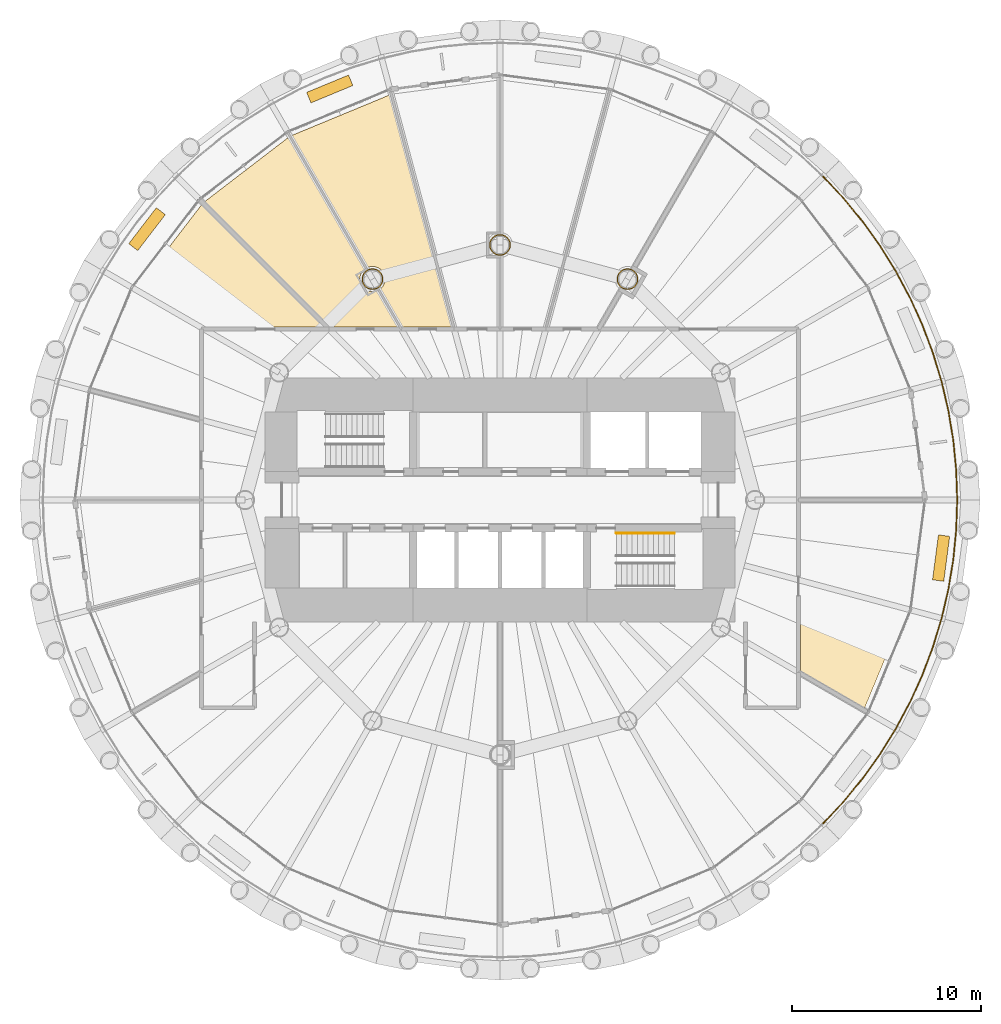
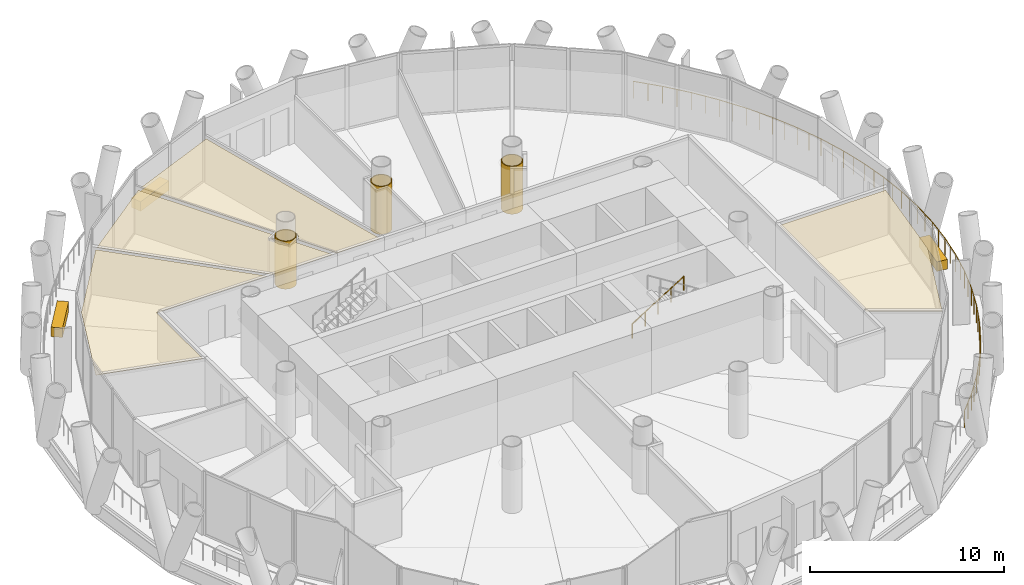
# One storey, part 14 of 15: 10 coverings, 2 railings.
"""IFC4 building model written with IfcOpenShell, lengths in metres."""

from ifc_helpers import new_model, si_unit, direction, frame, origin, origin_2d, place, context, subcontext, project, spatial, polyline, rectangle, circle, outline, extrude, material, layer, layer_set, type_object, element, save


model = new_model("IFC4")

# Units and contexts
model_context = context("Model", 3, precision=1e-05, world=origin(), true_north=direction((0.0, 1.0)))
body_context = subcontext(model_context, "Body", "Model", "MODEL_VIEW")
ifc_project = project(units=[si_unit("LENGTHUNIT", "METRE"), si_unit("AREAUNIT", "SQUARE_METRE"), si_unit("VOLUMEUNIT", "CUBIC_METRE"), si_unit("PLANEANGLEUNIT", "RADIAN"), si_unit("MASSUNIT", "GRAM", prefix="KILO")], contexts=[model_context])

# Site, building, storey
site_placement = place(None, origin())
site = spatial("IfcSite", under=ifc_project, at=site_placement, CompositionType="ELEMENT")
building_placement = place(site_placement, origin())
building = spatial("IfcBuilding", under=site, at=building_placement, Name="Qaws Media Tower", CompositionType="ELEMENT")
storey_placement = place(building_placement, frame((0.0, 0.0, 143.60009765625)))
storey = spatial("IfcBuildingStorey", under=building, at=storey_placement, Name="L32", CompositionType="ELEMENT", Elevation=143.60009765625)

# Railing
ifc_material_1 = material(Name="Stainless steel and glass guard", Category="steel")
railing_type_1 = type_object("IfcRailingType", Name="Balcony guard 1100", PredefinedType="GUARDRAIL", material=ifc_material_1)
railing_1_placement = place(storey_placement, frame((77.112060546875, 32.887939453125, 0.0)))
element("IfcRailing", 1, at=railing_1_placement, inside=storey, type_object=railing_type_1, Name="GR1 balcony guard L32-4", PredefinedType="GUARDRAIL", context=body_context, shape_type="SweptSolid", body=[
    extrude(circle(Radius=0.02392578125, at=origin_2d()), frame((0.0, 0.0, 1.076171875), z_axis=(0.683525663397, 0.729926480872, 0.0), x_axis=(-0.729926480872, 0.683525663397, 0.0)), (0.0, 0.0, 1.0), 1.583740234375),
    extrude(circle(Radius=0.02392578125, at=origin_2d()), frame((1.08251953125, 1.156005859375, 1.076171875), z_axis=(0.634404020343, 0.773001642284, 0.0), x_axis=(-0.773001642284, 0.634404020343, 0.0)), (0.0, 0.0, 1.0), 1.58349609375),
    extrude(circle(Radius=0.02392578125, at=origin_2d()), frame((2.087158203125, 2.380126953125, 1.076171875), z_axis=(0.582491777819, 0.81283659414, 0.0), x_axis=(-0.81283659414, 0.582491777819, 0.0)), (0.0, 0.0, 1.0), 1.58349609375),
    extrude(circle(Radius=0.02392578125, at=origin_2d()), frame((3.009521484375, 3.667236328125, 1.076171875), z_axis=(0.528057343706, 0.849208715075, 0.0), x_axis=(-0.849208715075, 0.528057343706, 0.0)), (0.0, 0.0, 1.0), 1.58349609375),
    extrude(circle(Radius=0.02392578125, at=origin_2d()), frame((3.845703125, 5.011962890625, 1.076171875), z_axis=(0.471404145515, 0.881917304281, 0.0), x_axis=(-0.881917304281, 0.471404145515, 0.0)), (0.0, 0.0, 1.0), 1.583740234375),
    extrude(circle(Radius=0.02392578125, at=origin_2d()), frame((4.59228515625, 6.40869140625, 1.076171875), z_axis=(0.412722382682, 0.910856868467, 0.0), x_axis=(-0.910856868467, 0.412722382682, 0.0)), (0.0, 0.0, 1.0), 1.58349609375),
    extrude(circle(Radius=0.02392578125, at=origin_2d()), frame((5.245849609375, 7.85107421875, 1.076171875), z_axis=(0.35225509793, 0.935904026053, 0.0), x_axis=(-0.935904026053, 0.35225509793, 0.0)), (0.0, 0.0, 1.0), 1.583740234375),
    extrude(circle(Radius=0.02392578125, at=origin_2d()), frame((5.8037109375, 9.333251953125, 1.076171875), z_axis=(0.290302625985, 0.95693489086, 0.0), x_axis=(-0.95693489086, 0.290302625985, 0.0)), (0.0, 0.0, 1.0), 1.58349609375),
    extrude(circle(Radius=0.02392578125, at=origin_2d()), frame((6.263427734375, 10.8486328125, 1.076171875), z_axis=(0.227088279746, 0.973874177295, 0.0), x_axis=(-0.973874177295, 0.227088279746, 0.0)), (0.0, 0.0, 1.0), 1.58349609375),
    extrude(circle(Radius=0.02392578125, at=origin_2d()), frame((6.623046875, 12.390869140625, 1.076171875), z_axis=(0.162798782993, 0.986659290868, 0.0), x_axis=(-0.986659290868, 0.162798782993, 0.0)), (0.0, 0.0, 1.0), 1.583740234375),
    extrude(circle(Radius=0.02392578125, at=origin_2d()), frame((6.880859375, 13.953369140625, 1.076171875), z_axis=(0.098053479386, 0.995181146918, 0.0), x_axis=(-0.995181146918, 0.098053479386, 0.0)), (0.0, 0.0, 1.0), 1.58349609375),
    extrude(circle(Radius=0.02392578125, at=origin_2d()), frame((7.0361328125, 15.529296875, 1.076171875), z_axis=(0.032683439731, 0.999465753674, 0.0), x_axis=(-0.999465753674, 0.032683439731, 0.0)), (0.0, 0.0, 1.0), 1.58349609375),
    extrude(circle(Radius=0.02392578125, at=origin_2d()), frame((7.087890625, 17.112060546875, 1.076171875), z_axis=(-0.032683439731, 0.999465753674, 0.0), x_axis=(-0.999465753674, -0.032683439731, 0.0)), (0.0, 0.0, 1.0), 1.58349609375),
    extrude(circle(Radius=0.02392578125, at=origin_2d()), frame((7.0361328125, 18.69482421875, 1.076171875), z_axis=(-0.098053479386, 0.995181146918, 0.0), x_axis=(-0.995181146918, -0.098053479386, 0.0)), (0.0, 0.0, 1.0), 1.58349609375),
    extrude(circle(Radius=0.02392578125, at=origin_2d()), frame((6.880859375, 20.270751953125, 1.076171875), z_axis=(-0.162798782993, 0.986659290868, 0.0), x_axis=(-0.986659290868, -0.162798782993, 0.0)), (0.0, 0.0, 1.0), 1.583740234375),
    extrude(circle(Radius=0.02392578125, at=origin_2d()), frame((6.623046875, 21.833251953125, 1.076171875), z_axis=(-0.227088279746, 0.973874177295, 0.0), x_axis=(-0.973874177295, -0.227088279746, 0.0)), (0.0, 0.0, 1.0), 1.58349609375),
    extrude(circle(Radius=0.02392578125, at=origin_2d()), frame((6.263427734375, 23.37548828125, 1.076171875), z_axis=(-0.290302625985, 0.95693489086, 0.0), x_axis=(-0.95693489086, -0.290302625985, 0.0)), (0.0, 0.0, 1.0), 1.58349609375),
    extrude(circle(Radius=0.02392578125, at=origin_2d()), frame((5.8037109375, 24.890869140625, 1.076171875), z_axis=(-0.35225509793, 0.935904026053, 0.0), x_axis=(-0.935904026053, -0.35225509793, 0.0)), (0.0, 0.0, 1.0), 1.583740234375),
    extrude(circle(Radius=0.02392578125, at=origin_2d()), frame((5.245849609375, 26.373046875, 1.076171875), z_axis=(-0.412722382682, 0.910856868467, 0.0), x_axis=(-0.910856868467, -0.412722382682, 0.0)), (0.0, 0.0, 1.0), 1.58349609375),
    extrude(circle(Radius=0.02392578125, at=origin_2d()), frame((4.59228515625, 27.8154296875, 1.076171875), z_axis=(-0.471404145515, 0.881917304281, 0.0), x_axis=(-0.881917304281, -0.471404145515, 0.0)), (0.0, 0.0, 1.0), 1.583740234375),
    extrude(circle(Radius=0.02392578125, at=origin_2d()), frame((3.845703125, 29.212158203125, 1.076171875), z_axis=(-0.528057343706, 0.849208715075, 0.0), x_axis=(-0.849208715075, -0.528057343706, 0.0)), (0.0, 0.0, 1.0), 1.58349609375),
    extrude(circle(Radius=0.02392578125, at=origin_2d()), frame((3.009521484375, 30.556884765625, 1.076171875), z_axis=(-0.582491777819, 0.81283659414, 0.0), x_axis=(-0.81283659414, -0.582491777819, 0.0)), (0.0, 0.0, 1.0), 1.58349609375),
    extrude(circle(Radius=0.02392578125, at=origin_2d()), frame((2.087158203125, 31.843994140625, 1.076171875), z_axis=(-0.634404020343, 0.773001642284, 0.0), x_axis=(-0.773001642284, -0.634404020343, 0.0)), (0.0, 0.0, 1.0), 1.58349609375),
    extrude(circle(Radius=0.02392578125, at=origin_2d()), frame((1.08251953125, 33.068115234375, 1.076171875), z_axis=(-0.683525663397, 0.729926480872, 0.0), x_axis=(-0.729926480872, -0.683525663397, 0.0)), (0.0, 0.0, 1.0), 1.583740234375),
    extrude(circle(Radius=0.02099609375, at=origin_2d()), origin(), (0.0, 0.0, 1.0), 1.052001953125),
    extrude(circle(Radius=0.02099609375, at=origin_2d()), frame((0.541259765625, 0.578125, 0.0)), (0.0, 0.0, 1.0), 1.052001953125),
    extrude(circle(Radius=0.02099609375, at=origin_2d()), frame((1.08251953125, 1.156005859375, 0.0)), (0.0, 0.0, 1.0), 1.052001953125),
    extrude(circle(Radius=0.02099609375, at=origin_2d()), frame((1.5849609375, 1.76806640625, 0.0)), (0.0, 0.0, 1.0), 1.052001953125),
    extrude(circle(Radius=0.02099609375, at=origin_2d()), frame((2.087158203125, 2.380126953125, 0.0)), (0.0, 0.0, 1.0), 1.052001953125),
    extrude(circle(Radius=0.02099609375, at=origin_2d()), frame((2.54833984375, 3.023681640625, 0.0)), (0.0, 0.0, 1.0), 1.052001953125),
    extrude(circle(Radius=0.02099609375, at=origin_2d()), frame((3.009521484375, 3.667236328125, 0.0)), (0.0, 0.0, 1.0), 1.052001953125),
    extrude(circle(Radius=0.02099609375, at=origin_2d()), frame((3.427734375, 4.339599609375, 0.0)), (0.0, 0.0, 1.0), 1.052001953125),
    extrude(circle(Radius=0.02099609375, at=origin_2d()), frame((3.845703125, 5.011962890625, 0.0)), (0.0, 0.0, 1.0), 1.052001953125),
    extrude(circle(Radius=0.02099609375, at=origin_2d()), frame((4.218994140625, 5.71044921875, 0.0)), (0.0, 0.0, 1.0), 1.052001953125),
    extrude(circle(Radius=0.02099609375, at=origin_2d()), frame((4.59228515625, 6.40869140625, 0.0)), (0.0, 0.0, 1.0), 1.052001953125),
    extrude(circle(Radius=0.02099609375, at=origin_2d()), frame((4.9189453125, 7.1298828125, 0.0)), (0.0, 0.0, 1.0), 1.052001953125),
    extrude(circle(Radius=0.02099609375, at=origin_2d()), frame((5.245849609375, 7.85107421875, 0.0)), (0.0, 0.0, 1.0), 1.052001953125),
    extrude(circle(Radius=0.02099609375, at=origin_2d()), frame((5.52490234375, 8.59228515625, 0.0)), (0.0, 0.0, 1.0), 1.052001953125),
    extrude(circle(Radius=0.02099609375, at=origin_2d()), frame((5.8037109375, 9.333251953125, 0.0)), (0.0, 0.0, 1.0), 1.052001953125),
    extrude(circle(Radius=0.02099609375, at=origin_2d()), frame((6.03369140625, 10.0908203125, 0.0)), (0.0, 0.0, 1.0), 1.052001953125),
    extrude(circle(Radius=0.02099609375, at=origin_2d()), frame((6.263427734375, 10.8486328125, 0.0)), (0.0, 0.0, 1.0), 1.052001953125),
    extrude(circle(Radius=0.02099609375, at=origin_2d()), frame((6.443359375, 11.61962890625, 0.0)), (0.0, 0.0, 1.0), 1.052001953125),
    extrude(circle(Radius=0.02099609375, at=origin_2d()), frame((6.623046875, 12.390869140625, 0.0)), (0.0, 0.0, 1.0), 1.052001953125),
    extrude(circle(Radius=0.02099609375, at=origin_2d()), frame((6.751953125, 13.172119140625, 0.0)), (0.0, 0.0, 1.0), 1.052001953125),
    extrude(circle(Radius=0.02099609375, at=origin_2d()), frame((6.880859375, 13.953369140625, 0.0)), (0.0, 0.0, 1.0), 1.052001953125),
    extrude(circle(Radius=0.02099609375, at=origin_2d()), frame((6.95849609375, 14.7412109375, 0.0)), (0.0, 0.0, 1.0), 1.052001953125),
    extrude(circle(Radius=0.02099609375, at=origin_2d()), frame((7.0361328125, 15.529296875, 0.0)), (0.0, 0.0, 1.0), 1.052001953125),
    extrude(circle(Radius=0.02099609375, at=origin_2d()), frame((7.06201171875, 16.32080078125, 0.0)), (0.0, 0.0, 1.0), 1.052001953125),
    extrude(circle(Radius=0.02099609375, at=origin_2d()), frame((7.087890625, 17.112060546875, 0.0)), (0.0, 0.0, 1.0), 1.052001953125),
    extrude(circle(Radius=0.02099609375, at=origin_2d()), frame((7.06201171875, 17.9033203125, 0.0)), (0.0, 0.0, 1.0), 1.052001953125),
    extrude(circle(Radius=0.02099609375, at=origin_2d()), frame((7.0361328125, 18.69482421875, 0.0)), (0.0, 0.0, 1.0), 1.052001953125),
    extrude(circle(Radius=0.02099609375, at=origin_2d()), frame((6.95849609375, 19.48291015625, 0.0)), (0.0, 0.0, 1.0), 1.052001953125),
    extrude(circle(Radius=0.02099609375, at=origin_2d()), frame((6.880859375, 20.270751953125, 0.0)), (0.0, 0.0, 1.0), 1.052001953125),
    extrude(circle(Radius=0.02099609375, at=origin_2d()), frame((6.751953125, 21.052001953125, 0.0)), (0.0, 0.0, 1.0), 1.052001953125),
    extrude(circle(Radius=0.02099609375, at=origin_2d()), frame((6.623046875, 21.833251953125, 0.0)), (0.0, 0.0, 1.0), 1.052001953125),
    extrude(circle(Radius=0.02099609375, at=origin_2d()), frame((6.443359375, 22.6044921875, 0.0)), (0.0, 0.0, 1.0), 1.052001953125),
    extrude(circle(Radius=0.02099609375, at=origin_2d()), frame((6.263427734375, 23.37548828125, 0.0)), (0.0, 0.0, 1.0), 1.052001953125),
    extrude(circle(Radius=0.02099609375, at=origin_2d()), frame((6.03369140625, 24.13330078125, 0.0)), (0.0, 0.0, 1.0), 1.052001953125),
    extrude(circle(Radius=0.02099609375, at=origin_2d()), frame((5.8037109375, 24.890869140625, 0.0)), (0.0, 0.0, 1.0), 1.052001953125),
    extrude(circle(Radius=0.02099609375, at=origin_2d()), frame((5.52490234375, 25.6318359375, 0.0)), (0.0, 0.0, 1.0), 1.052001953125),
    extrude(circle(Radius=0.02099609375, at=origin_2d()), frame((5.245849609375, 26.373046875, 0.0)), (0.0, 0.0, 1.0), 1.052001953125),
    extrude(circle(Radius=0.02099609375, at=origin_2d()), frame((4.9189453125, 27.09423828125, 0.0)), (0.0, 0.0, 1.0), 1.052001953125),
    extrude(circle(Radius=0.02099609375, at=origin_2d()), frame((4.59228515625, 27.8154296875, 0.0)), (0.0, 0.0, 1.0), 1.052001953125),
    extrude(circle(Radius=0.02099609375, at=origin_2d()), frame((4.218994140625, 28.513671875, 0.0)), (0.0, 0.0, 1.0), 1.052001953125),
    extrude(circle(Radius=0.02099609375, at=origin_2d()), frame((3.845703125, 29.212158203125, 0.0)), (0.0, 0.0, 1.0), 1.052001953125),
    extrude(circle(Radius=0.02099609375, at=origin_2d()), frame((3.427734375, 29.884521484375, 0.0)), (0.0, 0.0, 1.0), 1.052001953125),
    extrude(circle(Radius=0.02099609375, at=origin_2d()), frame((3.009521484375, 30.556884765625, 0.0)), (0.0, 0.0, 1.0), 1.052001953125),
    extrude(circle(Radius=0.02099609375, at=origin_2d()), frame((2.54833984375, 31.200439453125, 0.0)), (0.0, 0.0, 1.0), 1.052001953125),
    extrude(circle(Radius=0.02099609375, at=origin_2d()), frame((2.087158203125, 31.843994140625, 0.0)), (0.0, 0.0, 1.0), 1.052001953125),
    extrude(circle(Radius=0.02099609375, at=origin_2d()), frame((1.5849609375, 32.4560546875, 0.0)), (0.0, 0.0, 1.0), 1.052001953125),
    extrude(circle(Radius=0.02099609375, at=origin_2d()), frame((1.08251953125, 33.068115234375, 0.0)), (0.0, 0.0, 1.0), 1.052001953125),
    extrude(circle(Radius=0.02099609375, at=origin_2d()), frame((0.541259765625, 33.64599609375, 0.0)), (0.0, 0.0, 1.0), 1.052001953125),
    extrude(circle(Radius=0.02099609375, at=origin_2d()), frame((0.0, 34.22412109375, 0.0)), (0.0, 0.0, 1.0), 1.052001953125),
])

# Coverings
ifc_material_2 = material(Name="Two layers 15 fire-rated gypsum board on steel framing", Category="steel")
ifc_layer_1 = layer(ifc_material_2, 0.050048828125)
ifc_layer_set_1 = layer_set([ifc_layer_1], Name="Column fire casing")
covering_type_1 = type_object("IfcCoveringType", Name="Column fire casing", PredefinedType="CLADDING", material=ifc_layer_set_1)
covering_1_placement = place(storey_placement, origin())
element("IfcCovering", 2, at=covering_1_placement, inside=storey, type_object=covering_type_1, Name="CC1 column casing L32", PredefinedType="CLADDING", context=body_context, shape_type="SweptSolid", body=[
    extrude(outline(polyline([(67.31298828125, 61.69140625), (67.30810546875, 61.617919921875), (67.293701171875, 61.545654296875), (67.27001953125, 61.475830078125), (67.237548828125, 61.409912109375), (67.19677734375, 61.3486328125), (67.148193359375, 61.293212890625), (67.0927734375, 61.24462890625), (67.031494140625, 61.203857421875), (66.965576171875, 61.171142578125), (66.895751953125, 61.1474609375), (66.823486328125, 61.13330078125), (66.75, 61.12841796875), (66.676513671875, 61.13330078125), (66.604248046875, 61.1474609375), (66.534423828125, 61.171142578125), (66.468505859375, 61.203857421875), (66.4072265625, 61.24462890625), (66.351806640625, 61.293212890625), (66.30322265625, 61.3486328125), (66.262451171875, 61.409912109375), (66.22998046875, 61.475830078125), (66.206298828125, 61.545654296875), (66.19189453125, 61.617919921875), (66.18701171875, 61.69140625), (66.19189453125, 61.764892578125), (66.206298828125, 61.837158203125), (66.22998046875, 61.90673828125), (66.262451171875, 61.972900390625), (66.30322265625, 62.0341796875), (66.351806640625, 62.08935546875), (66.4072265625, 62.137939453125), (66.468505859375, 62.178955078125), (66.534423828125, 62.21142578125), (66.604248046875, 62.235107421875), (66.676513671875, 62.24951171875), (66.75, 62.25439453125), (66.823486328125, 62.24951171875), (66.895751953125, 62.235107421875), (66.965576171875, 62.21142578125), (67.031494140625, 62.178955078125), (67.0927734375, 62.137939453125), (67.148193359375, 62.08935546875), (67.19677734375, 62.0341796875), (67.237548828125, 61.972900390625), (67.27001953125, 61.90673828125), (67.293701171875, 61.837158203125), (67.30810546875, 61.764892578125), (67.31298828125, 61.69140625)]), holes=[polyline([(67.260986328125, 61.69140625), (67.256591796875, 61.62451171875), (67.24365234375, 61.55908203125), (67.22216796875, 61.495849609375), (67.1923828125, 61.435791015625), (67.155517578125, 61.38037109375), (67.111328125, 61.330078125), (67.06103515625, 61.285888671875), (67.005615234375, 61.248779296875), (66.945556640625, 61.21923828125), (66.88232421875, 61.19775390625), (66.816650390625, 61.184814453125), (66.75, 61.180419921875), (66.683349609375, 61.184814453125), (66.61767578125, 61.19775390625), (66.554443359375, 61.21923828125), (66.494384765625, 61.248779296875), (66.43896484375, 61.285888671875), (66.388671875, 61.330078125), (66.344482421875, 61.38037109375), (66.3076171875, 61.435791015625), (66.27783203125, 61.495849609375), (66.25634765625, 61.55908203125), (66.243408203125, 61.62451171875), (66.239013671875, 61.69140625), (66.243408203125, 61.758056640625), (66.25634765625, 61.823486328125), (66.27783203125, 61.886962890625), (66.3076171875, 61.94677734375), (66.344482421875, 62.00244140625), (66.388671875, 62.052734375), (66.43896484375, 62.0966796875), (66.494384765625, 62.1337890625), (66.554443359375, 62.163330078125), (66.61767578125, 62.184814453125), (66.683349609375, 62.197998046875), (66.75, 62.202392578125), (66.816650390625, 62.197998046875), (66.88232421875, 62.184814453125), (66.945556640625, 62.163330078125), (67.005615234375, 62.1337890625), (67.06103515625, 62.0966796875), (67.111328125, 62.052734375), (67.155517578125, 62.00244140625), (67.1923828125, 61.94677734375), (67.22216796875, 61.886962890625), (67.24365234375, 61.823486328125), (67.256591796875, 61.758056640625), (67.260986328125, 61.69140625)])]), origin(), (0.0, 0.0, 1.0), 3.02001953125),
])
covering_2_placement = place(storey_placement, origin())
element("IfcCovering", 3, at=covering_2_placement, inside=storey, type_object=covering_type_1, Name="CC1 column casing L32", PredefinedType="CLADDING", context=body_context, shape_type="SweptSolid", body=[
    extrude(outline(polyline([(60.56298828125, 63.5), (60.55810546875, 63.426513671875), (60.543701171875, 63.354248046875), (60.52001953125, 63.284423828125), (60.487548828125, 63.218505859375), (60.44677734375, 63.1572265625), (60.398193359375, 63.101806640625), (60.3427734375, 63.05322265625), (60.281494140625, 63.012451171875), (60.215576171875, 62.97998046875), (60.145751953125, 62.956298828125), (60.073486328125, 62.94189453125), (60.0, 62.93701171875), (59.926513671875, 62.94189453125), (59.854248046875, 62.956298828125), (59.784423828125, 62.97998046875), (59.718505859375, 63.012451171875), (59.6572265625, 63.05322265625), (59.601806640625, 63.101806640625), (59.55322265625, 63.1572265625), (59.512451171875, 63.218505859375), (59.47998046875, 63.284423828125), (59.456298828125, 63.354248046875), (59.44189453125, 63.426513671875), (59.43701171875, 63.5), (59.44189453125, 63.573486328125), (59.456298828125, 63.645751953125), (59.47998046875, 63.715576171875), (59.512451171875, 63.781494140625), (59.55322265625, 63.8427734375), (59.601806640625, 63.898193359375), (59.6572265625, 63.94677734375), (59.718505859375, 63.987548828125), (59.784423828125, 64.02001953125), (59.854248046875, 64.043701171875), (59.926513671875, 64.05810546875), (60.0, 64.06298828125), (60.073486328125, 64.05810546875), (60.145751953125, 64.043701171875), (60.215576171875, 64.02001953125), (60.281494140625, 63.987548828125), (60.3427734375, 63.94677734375), (60.398193359375, 63.898193359375), (60.44677734375, 63.8427734375), (60.487548828125, 63.781494140625), (60.52001953125, 63.715576171875), (60.543701171875, 63.645751953125), (60.55810546875, 63.573486328125), (60.56298828125, 63.5)]), holes=[polyline([(60.510986328125, 63.5), (60.506591796875, 63.433349609375), (60.49365234375, 63.36767578125), (60.47216796875, 63.304443359375), (60.4423828125, 63.244384765625), (60.405517578125, 63.18896484375), (60.361328125, 63.138671875), (60.31103515625, 63.094482421875), (60.255615234375, 63.0576171875), (60.195556640625, 63.02783203125), (60.13232421875, 63.00634765625), (60.066650390625, 62.993408203125), (60.0, 62.989013671875), (59.933349609375, 62.993408203125), (59.86767578125, 63.00634765625), (59.804443359375, 63.02783203125), (59.744384765625, 63.0576171875), (59.68896484375, 63.094482421875), (59.638671875, 63.138671875), (59.594482421875, 63.18896484375), (59.5576171875, 63.244384765625), (59.52783203125, 63.304443359375), (59.50634765625, 63.36767578125), (59.493408203125, 63.433349609375), (59.489013671875, 63.5), (59.493408203125, 63.566650390625), (59.50634765625, 63.63232421875), (59.52783203125, 63.695556640625), (59.5576171875, 63.755615234375), (59.594482421875, 63.81103515625), (59.638671875, 63.861328125), (59.68896484375, 63.905517578125), (59.744384765625, 63.9423828125), (59.804443359375, 63.97216796875), (59.86767578125, 63.99365234375), (59.933349609375, 64.006591796875), (60.0, 64.010986328125), (60.066650390625, 64.006591796875), (60.13232421875, 63.99365234375), (60.195556640625, 63.97216796875), (60.255615234375, 63.9423828125), (60.31103515625, 63.905517578125), (60.361328125, 63.861328125), (60.405517578125, 63.81103515625), (60.4423828125, 63.755615234375), (60.47216796875, 63.695556640625), (60.49365234375, 63.63232421875), (60.506591796875, 63.566650390625), (60.510986328125, 63.5)])]), origin(), (0.0, 0.0, 1.0), 3.02001953125),
])
covering_3_placement = place(storey_placement, origin())
element("IfcCovering", 4, at=covering_3_placement, inside=storey, type_object=covering_type_1, Name="CC1 column casing L32", PredefinedType="CLADDING", context=body_context, shape_type="SweptSolid", body=[
    extrude(outline(polyline([(53.81298828125, 61.69140625), (53.80810546875, 61.617919921875), (53.793701171875, 61.545654296875), (53.77001953125, 61.475830078125), (53.737548828125, 61.409912109375), (53.69677734375, 61.3486328125), (53.648193359375, 61.293212890625), (53.5927734375, 61.24462890625), (53.531494140625, 61.203857421875), (53.465576171875, 61.171142578125), (53.395751953125, 61.1474609375), (53.323486328125, 61.13330078125), (53.25, 61.12841796875), (53.176513671875, 61.13330078125), (53.104248046875, 61.1474609375), (53.034423828125, 61.171142578125), (52.968505859375, 61.203857421875), (52.9072265625, 61.24462890625), (52.851806640625, 61.293212890625), (52.80322265625, 61.3486328125), (52.762451171875, 61.409912109375), (52.72998046875, 61.475830078125), (52.706298828125, 61.545654296875), (52.69189453125, 61.617919921875), (52.68701171875, 61.69140625), (52.69189453125, 61.764892578125), (52.706298828125, 61.837158203125), (52.72998046875, 61.90673828125), (52.762451171875, 61.972900390625), (52.80322265625, 62.0341796875), (52.851806640625, 62.08935546875), (52.9072265625, 62.137939453125), (52.968505859375, 62.178955078125), (53.034423828125, 62.21142578125), (53.104248046875, 62.235107421875), (53.176513671875, 62.24951171875), (53.25, 62.25439453125), (53.323486328125, 62.24951171875), (53.395751953125, 62.235107421875), (53.465576171875, 62.21142578125), (53.531494140625, 62.178955078125), (53.5927734375, 62.137939453125), (53.648193359375, 62.08935546875), (53.69677734375, 62.0341796875), (53.737548828125, 61.972900390625), (53.77001953125, 61.90673828125), (53.793701171875, 61.837158203125), (53.80810546875, 61.764892578125), (53.81298828125, 61.69140625)]), holes=[polyline([(53.760986328125, 61.69140625), (53.756591796875, 61.62451171875), (53.74365234375, 61.55908203125), (53.72216796875, 61.495849609375), (53.6923828125, 61.435791015625), (53.655517578125, 61.38037109375), (53.611328125, 61.330078125), (53.56103515625, 61.285888671875), (53.505615234375, 61.248779296875), (53.445556640625, 61.21923828125), (53.38232421875, 61.19775390625), (53.316650390625, 61.184814453125), (53.25, 61.180419921875), (53.183349609375, 61.184814453125), (53.11767578125, 61.19775390625), (53.054443359375, 61.21923828125), (52.994384765625, 61.248779296875), (52.93896484375, 61.285888671875), (52.888671875, 61.330078125), (52.844482421875, 61.38037109375), (52.8076171875, 61.435791015625), (52.77783203125, 61.495849609375), (52.75634765625, 61.55908203125), (52.743408203125, 61.62451171875), (52.739013671875, 61.69140625), (52.743408203125, 61.758056640625), (52.75634765625, 61.823486328125), (52.77783203125, 61.886962890625), (52.8076171875, 61.94677734375), (52.844482421875, 62.00244140625), (52.888671875, 62.052734375), (52.93896484375, 62.0966796875), (52.994384765625, 62.1337890625), (53.054443359375, 62.163330078125), (53.11767578125, 62.184814453125), (53.183349609375, 62.197998046875), (53.25, 62.202392578125), (53.316650390625, 62.197998046875), (53.38232421875, 62.184814453125), (53.445556640625, 62.163330078125), (53.505615234375, 62.1337890625), (53.56103515625, 62.0966796875), (53.611328125, 62.052734375), (53.655517578125, 62.00244140625), (53.6923828125, 61.94677734375), (53.72216796875, 61.886962890625), (53.74365234375, 61.823486328125), (53.756591796875, 61.758056640625), (53.760986328125, 61.69140625)])]), origin(), (0.0, 0.0, 1.0), 3.02001953125),
])
ifc_material_3 = material(Name="600 x 600 mineral fibre tiles in exposed grid, suspended", Category="mineral fibre")
ifc_layer_2 = layer(ifc_material_3, 0.02001953125)
ifc_layer_set_2 = layer_set([ifc_layer_2], Name="Mineral fibre tile ceiling 20")
covering_type_2 = type_object("IfcCoveringType", Name="Mineral fibre tile ceiling 20", PredefinedType="CEILING", material=ifc_layer_set_2)
covering_4_placement = place(storey_placement, frame((0.0, 0.0, 2.849853515625)))
element("IfcCovering", 5, at=covering_4_placement, inside=storey, type_object=covering_type_2, Name="CL1 ceiling L32-06 Office", PredefinedType="CEILING", context=body_context, shape_type="SweptSolid", body=[
    extrude(outline(polyline([(54.140380859375, 71.43408203125), (57.428466796875, 59.16259765625), (54.83984375, 59.16259765625), (53.676025390625, 61.178466796875), (53.722412109375, 61.218994140625), (53.780029296875, 61.28466796875), (53.82861328125, 61.357421875), (53.8671875, 61.435791015625), (53.895263671875, 61.5185546875), (53.912353515625, 61.604248046875), (53.91796875, 61.69140625), (53.912353515625, 61.778564453125), (53.895263671875, 61.8642578125), (53.8671875, 61.947021484375), (53.82861328125, 62.025390625), (53.780029296875, 62.097900390625), (53.722412109375, 62.163818359375), (53.65673828125, 62.22119140625), (53.583984375, 62.269775390625), (53.505615234375, 62.30859375), (53.4228515625, 62.336669921875), (53.337158203125, 62.353515625), (53.25, 62.359375), (53.162841796875, 62.353515625), (53.0771484375, 62.336669921875), (53.018798828125, 62.31689453125), (48.9873046875, 69.2998046875), (54.140380859375, 71.43408203125)])), origin(), (0.0, 0.0, 1.0), 0.02001953125),
])
covering_5_placement = place(storey_placement, frame((0.0, 0.0, 2.849853515625)))
element("IfcCovering", 6, at=covering_5_placement, inside=storey, type_object=covering_type_2, Name="CL1 ceiling L32-07 Office", PredefinedType="CEILING", context=body_context, shape_type="SweptSolid", body=[
    extrude(outline(polyline([(48.79248046875, 69.187255859375), (52.823974609375, 62.204345703125), (52.777587890625, 62.163818359375), (52.719970703125, 62.097900390625), (52.67138671875, 62.025390625), (52.6328125, 61.947021484375), (52.604736328125, 61.8642578125), (52.587646484375, 61.778564453125), (52.58203125, 61.69140625), (52.587646484375, 61.604248046875), (52.604736328125, 61.5185546875), (52.6328125, 61.435791015625), (52.67138671875, 61.357421875), (52.719970703125, 61.28466796875), (52.777587890625, 61.218994140625), (52.84326171875, 61.161376953125), (52.916015625, 61.11279296875), (52.994384765625, 61.07421875), (53.0771484375, 61.046142578125), (53.162841796875, 61.029052734375), (53.25, 61.023193359375), (53.337158203125, 61.029052734375), (53.4228515625, 61.046142578125), (53.481201171875, 61.06591796875), (54.580078125, 59.16259765625), (50.99658203125, 59.16259765625), (44.3671875, 65.791748046875), (48.79248046875, 69.187255859375)])), origin(), (0.0, 0.0, 1.0), 0.02001953125),
])
covering_6_placement = place(storey_placement, frame((0.0, 0.0, 2.849853515625)))
element("IfcCovering", 7, at=covering_6_placement, inside=storey, type_object=covering_type_2, Name="CL1 ceiling L32-14 Paralegal office", PredefinedType="CEILING", context=body_context, shape_type="SweptSolid", body=[
    extrude(outline(polyline([(81.4775390625, 44.2451171875), (79.2998046875, 38.9873046875), (75.91259765625, 40.94287109375), (75.91259765625, 49.887451171875), (82.220458984375, 49.887451171875), (81.4775390625, 44.2451171875)])), origin(), (0.0, 0.0, 1.0), 0.02001953125),
])
ifc_material_4 = material(Name="Precast concrete planter with trailing planting", Category="concrete")
ifc_layer_3 = layer(ifc_material_4, 0.60009765625)
ifc_layer_set_3 = layer_set([ifc_layer_3], Name="Planter 2400x600")
covering_type_3 = type_object("IfcCoveringType", Name="Planter 2400x600", PredefinedType="USERDEFINED", material=ifc_layer_set_3)
for number, where, z_axis, x_axis, name in (
    (8, (50.98779296875, 71.75732421875, -0.000244140625), (0.0, 0.0, 1.0), (-0.923879532511, -0.382683432365, 0.0), "PL1 balcony planter L32-04"),
    (9, (41.316650390625, 64.33642578125, -0.000244140625), (0.0, 0.0, 1.0), (-0.608761429009, -0.793353340291, 0.0), "PL1 balcony planter L32-05"),
    (10, (83.3486328125, 46.926025390625, -0.000244140625), (0.0, 0.0, 1.0), (0.13052619222, 0.991444861374, 0.0), "PL1 balcony planter L32-12"),
):
    element("IfcCovering", number, at=place(storey_placement, frame(where, z_axis=z_axis, x_axis=x_axis)), inside=storey, type_object=covering_type_3, Name=name, ObjectType="PLANTER", PredefinedType="USERDEFINED", context=body_context, shape_type="SweptSolid", body=[
        extrude(rectangle(XDim=2.39990234375, YDim=0.60009765625, at=origin_2d()), origin(), (0.0, 0.0, 1.0), 0.60009765625),
    ])
ifc_material_5 = material(Name="Two layers 12.5 moisture-resistant plasterboard on suspended metal furring", Category="gypsum")
ifc_layer_4 = layer(ifc_material_5, 0.02490234375)
ifc_layer_set_4 = layer_set([ifc_layer_4], Name="Plasterboard ceiling 25")
covering_type_4 = type_object("IfcCoveringType", Name="Plasterboard ceiling 25", PredefinedType="CEILING", material=ifc_layer_set_4)
covering_7_placement = place(storey_placement, frame((0.0, 0.0, 2.849853515625)))
element("IfcCovering", 11, at=covering_7_placement, inside=storey, type_object=covering_type_4, Name="CL2 ceiling L32-08 Legal library", PredefinedType="CEILING", context=body_context, shape_type="SweptSolid", body=[
    extrude(outline(polyline([(40.74365234375, 61.11767578125), (44.208251953125, 65.6328125), (50.678466796875, 59.16259765625), (44.08740234375, 59.16259765625), (44.08740234375, 54.380126953125), (38.56591796875, 55.859619140625), (40.74365234375, 61.11767578125)])), origin(), (0.0, 0.0, 1.0), 0.025146484375),
])

# Railing
ifc_material_6 = material(Name="Steel tube handrail", Category="steel")
railing_type_2 = type_object("IfcRailingType", Name="Stair handrail 900", PredefinedType="HANDRAIL", material=ifc_material_6)
railing_2_placement = place(storey_placement, frame((66.159912109375, 48.25, 0.1748046875)))
element("IfcRailing", 12, at=railing_2_placement, inside=storey, type_object=railing_type_2, Name="HR1 handrail S2 flight 1 L32", PredefinedType="HANDRAIL", context=body_context, shape_type="SweptSolid", body=[
    extrude(circle(Radius=0.02392578125, at=origin_2d()), frame((0.0, 0.0, 0.8759765625), z_axis=(0.847998304005, 0.0, 0.529998940003), x_axis=(0.0, 1.0, 0.0)), (0.0, 0.0, 1.0), 3.632080078125),
    extrude(circle(Radius=0.02099609375, at=origin_2d()), origin(), (0.0, 0.0, 1.0), 0.851806640625),
    extrude(circle(Radius=0.02099609375, at=origin_2d()), frame((0.77001953125, 0.0, 0.481201171875)), (0.0, 0.0, 1.0), 0.851806640625),
    extrude(circle(Radius=0.02099609375, at=origin_2d()), frame((1.5400390625, 0.0, 0.96240234375)), (0.0, 0.0, 1.0), 0.851806640625),
    extrude(circle(Radius=0.02099609375, at=origin_2d()), frame((2.31005859375, 0.0, 1.44384765625)), (0.0, 0.0, 1.0), 0.851806640625),
    extrude(circle(Radius=0.02099609375, at=origin_2d()), frame((3.080078125, 0.0, 1.925048828125)), (0.0, 0.0, 1.0), 0.851806640625),
])

save(model, "model.ifc")
